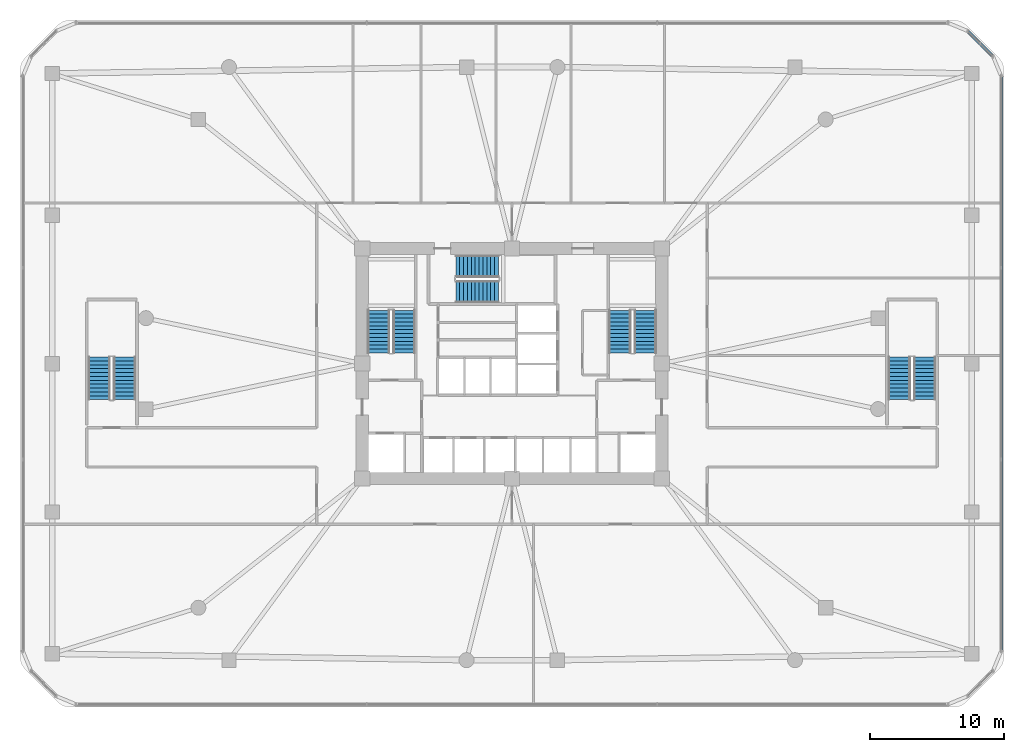
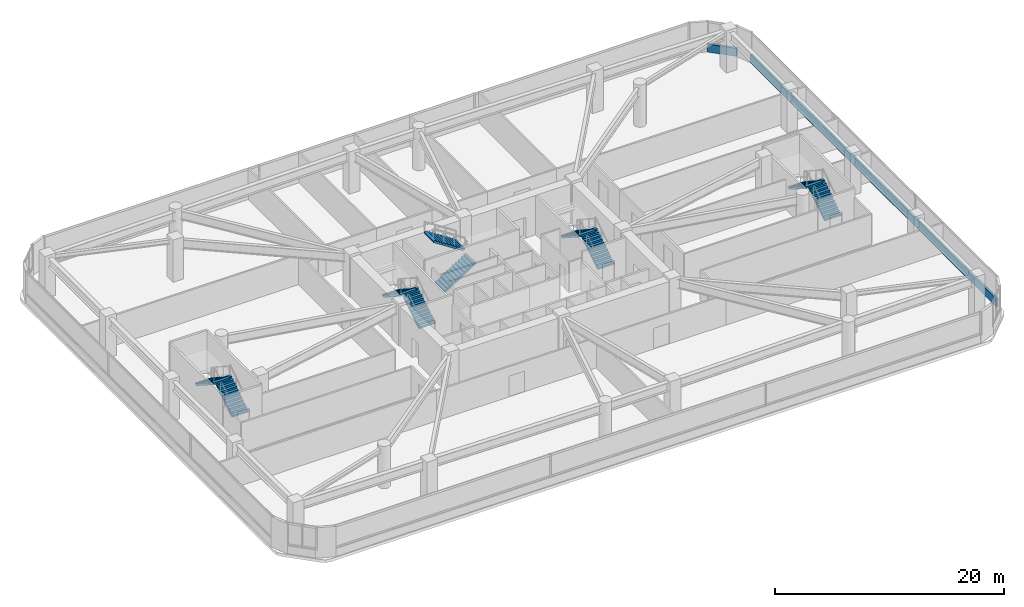
# One storey, part 19 of 21: 10 stair flights, 2 walls, 5 elements without a shape of their own.
"""IFC4 building model written with IfcOpenShell, lengths in metres."""

from ifc_helpers import new_model, si_unit, derived_unit, direction, frame, frame_2d, origin, place, context, subcontext, project, spatial, polyline, rectangle, outline, extrude, material, layer, layer_set, type_object, element, aggregate, save


model = new_model("IFC4")

# Units and contexts
model_context = context("Model", 3, precision=1e-05, world=origin(), true_north=direction((0.0, 1.0)))
body_context = subcontext(model_context, "Body", "Model", "MODEL_VIEW")
ifc_project = project(units=[si_unit("LENGTHUNIT", "METRE"), si_unit("AREAUNIT", "SQUARE_METRE"), si_unit("VOLUMEUNIT", "CUBIC_METRE"), si_unit("PLANEANGLEUNIT", "RADIAN"), si_unit("MASSUNIT", "GRAM", prefix="KILO"), derived_unit("THERMALTRANSMITTANCEUNIT", [(si_unit("POWERUNIT", "WATT"), 1), (si_unit("LENGTHUNIT", "METRE"), -2), (si_unit("THERMODYNAMICTEMPERATUREUNIT", "KELVIN"), -1)])], contexts=[model_context])

# Site, building, storey
site_placement = place(None, origin())
site = spatial("IfcSite", under=ifc_project, at=site_placement, CompositionType="ELEMENT")
building_placement = place(site_placement, origin())
building = spatial("IfcBuilding", under=site, at=building_placement, Name="Koralith Skygarden Medical Center", CompositionType="ELEMENT")
storey_placement = place(building_placement, frame((0.0, 0.0, 14.39990234375)))
storey = spatial("IfcBuildingStorey", under=building, at=storey_placement, Name="L03", CompositionType="ELEMENT", Elevation=14.39990234375)

# Walls
ifc_material_1 = material(Name="Warm Oolitic Limestone Cladding", Category="masonry")
ifc_layer = layer(ifc_material_1, 0.239990234375)
ifc_layer_set = layer_set([ifc_layer], Name="Warm Oolitic Limestone Cladding")
wall_type = type_object("IfcWallType", Name="Limestone Spandrel Sill Backup Wall 240", PredefinedType="SOLIDWALL", material=ifc_layer_set)
wall_1_placement = place(storey_placement, frame((73.580078125, 4.37890625, 0.0), z_axis=(0.0, 0.0, 1.0), x_axis=(0.0, 1.0, 0.0)))
element("IfcWall", 1, at=wall_1_placement, inside=storey, type_object=wall_type, Name="L03 Sill Spandrel Wall E", PredefinedType="SOLIDWALL", context=body_context, shape_type="SweptSolid", body=[
    extrude(rectangle(XDim=43.0419921875, YDim=0.239990234375, at=frame_2d((21.52099609375, 0.0))), origin(), (0.0, 0.0, 1.0), 0.85009765625),
])
wall_2_placement = place(storey_placement, frame((72.97900390625, 48.8720703125, 0.0), z_axis=(0.0, 0.0, 1.0), x_axis=(-0.707106781187, 0.707106781187, 0.0)))
element("IfcWall", 2, at=wall_2_placement, inside=storey, type_object=wall_type, Name="L03 Sill Spandrel Wall NE", PredefinedType="SOLIDWALL", context=body_context, shape_type="SweptSolid", body=[
    extrude(rectangle(XDim=2.69677734375, YDim=0.239990234375, at=frame_2d((1.348388671875, 0.0))), origin(), (0.0, 0.0, 1.0), 0.85009765625),
])

# Stair, stair flights
ifc_material_2 = material(Name="Concrete C45/55", Category="concrete")
stair_type = type_object("IfcStairType", Name="Core Exit Dogleg Concrete Stair", PredefinedType="HALF_TURN_STAIR", material=ifc_material_2)
stair_1_placement = place(storey_placement, origin())
stair_1 = element("IfcStair", 3, at=stair_1_placement, inside=storey, type_object=stair_type, Name="L03 Smokeproof Exit Stair ST1", PredefinedType="HALF_TURN_STAIR")
stair_flight_type = type_object("IfcStairFlightType", Name="Core Exit Concrete Stair Flight 1650", PredefinedType="STRAIGHT", material=ifc_material_2)
stair_flight_1_placement = place(storey_placement, frame((28.925048828125, 26.699951171875, 0.0), z_axis=(0.0, 0.0, 1.0), x_axis=(0.0, 1.0, 0.0)))
stair_flight_1 = element("IfcStairFlight", 4, at=stair_flight_1_placement, type_object=stair_flight_type, Name="ST1 flight 1", NumberOfRisers=12, NumberOfTreads=11, PredefinedType="STRAIGHT", RiserHeight=0.1875, TreadLength=0.29, context=body_context, shape_type="SweptSolid", body=[
    extrude(outline(polyline([(0.0, 0.0), (0.0, 0.1875), (0.2900390625, 0.1875), (0.2900390625, 0.375), (0.580078125, 0.375), (0.580078125, 0.5625), (0.8701171875, 0.5625), (0.8701171875, 0.75), (1.159912109375, 0.75), (1.159912109375, 0.9375), (1.449951171875, 0.9375), (1.449951171875, 1.125), (1.739990234375, 1.125), (1.739990234375, 1.3125), (2.030029296875, 1.3125), (2.030029296875, 1.5), (2.320068359375, 1.5), (2.320068359375, 1.6875), (2.610107421875, 1.6875), (2.610107421875, 1.875), (2.89990234375, 1.875), (2.89990234375, 2.0625), (3.18994140625, 2.0625), (3.18994140625, 2.25), (3.18994140625, 1.884033203125), (0.276123046875, 0.0), (0.0, 0.0)])), frame((0.0, 0.824951171875, 0.0), z_axis=(0.0, -1.0, 0.0), x_axis=(1.0, 0.0, 0.0)), (0.0, 0.0, 1.0), 1.64990234375),
])
stair_flight_2_placement = place(storey_placement, frame((27.02490234375, 29.889892578125, 2.25), z_axis=(0.0, 0.0, 1.0), x_axis=(0.0, -1.0, 0.0)))
stair_flight_2 = element("IfcStairFlight", 5, at=stair_flight_2_placement, type_object=stair_flight_type, Name="ST1 flight 2", NumberOfRisers=12, NumberOfTreads=11, PredefinedType="STRAIGHT", RiserHeight=0.1875, TreadLength=0.29, context=body_context, shape_type="SweptSolid", body=[
    extrude(outline(polyline([(0.0, 0.0), (0.0, 0.1875), (0.2900390625, 0.1875), (0.2900390625, 0.375), (0.580078125, 0.375), (0.580078125, 0.5625), (0.8701171875, 0.5625), (0.8701171875, 0.75), (1.159912109375, 0.75), (1.159912109375, 0.9375), (1.449951171875, 0.9375), (1.449951171875, 1.125), (1.739990234375, 1.125), (1.739990234375, 1.3125), (2.030029296875, 1.3125), (2.030029296875, 1.5), (2.320068359375, 1.5), (2.320068359375, 1.6875), (2.610107421875, 1.6875), (2.610107421875, 1.875), (2.89990234375, 1.875), (2.89990234375, 2.0625), (3.18994140625, 2.0625), (3.18994140625, 2.25), (3.18994140625, 1.884033203125), (0.276123046875, 0.0), (0.0, 0.0)])), frame((0.0, 0.824951171875, 0.0), z_axis=(0.0, -1.0, 0.0), x_axis=(1.0, 0.0, 0.0)), (0.0, 0.0, 1.0), 1.64990234375),
])
aggregate(stair_1, [stair_flight_1, stair_flight_2])

stair_2_placement = place(storey_placement, origin())
stair_2 = element("IfcStair", 6, at=stair_2_placement, inside=storey, type_object=stair_type, Name="L03 Smokeproof Exit Stair ST2", PredefinedType="HALF_TURN_STAIR")
stair_flight_3_placement = place(storey_placement, frame((46.97509765625, 26.699951171875, 0.0), z_axis=(0.0, 0.0, 1.0), x_axis=(0.0, 1.0, 0.0)))
stair_flight_3 = element("IfcStairFlight", 7, at=stair_flight_3_placement, type_object=stair_flight_type, Name="ST2 flight 1", NumberOfRisers=12, NumberOfTreads=11, PredefinedType="STRAIGHT", RiserHeight=0.1875, TreadLength=0.29, context=body_context, shape_type="SweptSolid", body=[
    extrude(outline(polyline([(0.0, 0.0), (0.0, 0.1875), (0.2900390625, 0.1875), (0.2900390625, 0.375), (0.580078125, 0.375), (0.580078125, 0.5625), (0.8701171875, 0.5625), (0.8701171875, 0.75), (1.159912109375, 0.75), (1.159912109375, 0.9375), (1.449951171875, 0.9375), (1.449951171875, 1.125), (1.739990234375, 1.125), (1.739990234375, 1.3125), (2.030029296875, 1.3125), (2.030029296875, 1.5), (2.320068359375, 1.5), (2.320068359375, 1.6875), (2.610107421875, 1.6875), (2.610107421875, 1.875), (2.89990234375, 1.875), (2.89990234375, 2.0625), (3.18994140625, 2.0625), (3.18994140625, 2.25), (3.18994140625, 1.884033203125), (0.276123046875, 0.0), (0.0, 0.0)])), frame((0.0, 0.824951171875, 0.0), z_axis=(0.0, -1.0, 0.0), x_axis=(1.0, 0.0, 0.0)), (0.0, 0.0, 1.0), 1.64990234375),
])
stair_flight_4_placement = place(storey_placement, frame((45.074951171875, 29.889892578125, 2.25), z_axis=(0.0, 0.0, 1.0), x_axis=(0.0, -1.0, 0.0)))
stair_flight_4 = element("IfcStairFlight", 8, at=stair_flight_4_placement, type_object=stair_flight_type, Name="ST2 flight 2", NumberOfRisers=12, NumberOfTreads=11, PredefinedType="STRAIGHT", RiserHeight=0.1875, TreadLength=0.29, context=body_context, shape_type="SweptSolid", body=[
    extrude(outline(polyline([(0.0, 0.0), (0.0, 0.1875), (0.2900390625, 0.1875), (0.2900390625, 0.375), (0.580078125, 0.375), (0.580078125, 0.5625), (0.8701171875, 0.5625), (0.8701171875, 0.75), (1.159912109375, 0.75), (1.159912109375, 0.9375), (1.449951171875, 0.9375), (1.449951171875, 1.125), (1.739990234375, 1.125), (1.739990234375, 1.3125), (2.030029296875, 1.3125), (2.030029296875, 1.5), (2.320068359375, 1.5), (2.320068359375, 1.6875), (2.610107421875, 1.6875), (2.610107421875, 1.875), (2.89990234375, 1.875), (2.89990234375, 2.0625), (3.18994140625, 2.0625), (3.18994140625, 2.25), (3.18994140625, 1.884033203125), (0.276123046875, 0.0), (0.0, 0.0)])), frame((0.0, 0.824951171875, 0.0), z_axis=(0.0, -1.0, 0.0), x_axis=(1.0, 0.0, 0.0)), (0.0, 0.0, 1.0), 1.64990234375),
])
aggregate(stair_2, [stair_flight_3, stair_flight_4])

stair_3_placement = place(storey_placement, origin())
stair_3 = element("IfcStair", 9, at=stair_3_placement, inside=storey, type_object=stair_type, Name="L03 Smokeproof Exit Stair ST3", PredefinedType="HALF_TURN_STAIR")
stair_flight_5_placement = place(storey_placement, frame((32.800048828125, 31.27490234375, 0.0), z_axis=(0.0, 0.0, 1.0), x_axis=(1.0, 0.0, 0.0)))
stair_flight_5 = element("IfcStairFlight", 10, at=stair_flight_5_placement, type_object=stair_flight_type, Name="ST3 flight 1", NumberOfRisers=12, NumberOfTreads=11, PredefinedType="STRAIGHT", RiserHeight=0.1875, TreadLength=0.29, context=body_context, shape_type="SweptSolid", body=[
    extrude(outline(polyline([(0.0, 0.0), (0.0, 0.1875), (0.2900390625, 0.1875), (0.2900390625, 0.375), (0.580078125, 0.375), (0.580078125, 0.5625), (0.8701171875, 0.5625), (0.8701171875, 0.75), (1.159912109375, 0.75), (1.159912109375, 0.9375), (1.449951171875, 0.9375), (1.449951171875, 1.125), (1.739990234375, 1.125), (1.739990234375, 1.3125), (2.030029296875, 1.3125), (2.030029296875, 1.5), (2.320068359375, 1.5), (2.320068359375, 1.6875), (2.610107421875, 1.6875), (2.610107421875, 1.875), (2.89990234375, 1.875), (2.89990234375, 2.0625), (3.18994140625, 2.0625), (3.18994140625, 2.25), (3.18994140625, 1.884033203125), (0.276123046875, 0.0), (0.0, 0.0)])), frame((0.0, 0.824951171875, 0.0), z_axis=(0.0, -1.0, 0.0), x_axis=(1.0, 0.0, 0.0)), (0.0, 0.0, 1.0), 1.64990234375),
])
stair_flight_6_placement = place(storey_placement, frame((35.989990234375, 33.175048828125, 2.25), z_axis=(0.0, 0.0, 1.0), x_axis=(-1.0, 0.0, 0.0)))
stair_flight_6 = element("IfcStairFlight", 11, at=stair_flight_6_placement, type_object=stair_flight_type, Name="ST3 flight 2", NumberOfRisers=12, NumberOfTreads=11, PredefinedType="STRAIGHT", RiserHeight=0.1875, TreadLength=0.29, context=body_context, shape_type="SweptSolid", body=[
    extrude(outline(polyline([(0.0, 0.0), (0.0, 0.1875), (0.2900390625, 0.1875), (0.2900390625, 0.375), (0.580078125, 0.375), (0.580078125, 0.5625), (0.8701171875, 0.5625), (0.8701171875, 0.75), (1.159912109375, 0.75), (1.159912109375, 0.9375), (1.449951171875, 0.9375), (1.449951171875, 1.125), (1.739990234375, 1.125), (1.739990234375, 1.3125), (2.030029296875, 1.3125), (2.030029296875, 1.5), (2.320068359375, 1.5), (2.320068359375, 1.6875), (2.610107421875, 1.6875), (2.610107421875, 1.875), (2.89990234375, 1.875), (2.89990234375, 2.0625), (3.18994140625, 2.0625), (3.18994140625, 2.25), (3.18994140625, 1.884033203125), (0.276123046875, 0.0), (0.0, 0.0)])), frame((0.0, 0.824951171875, 0.0), z_axis=(0.0, -1.0, 0.0), x_axis=(1.0, 0.0, 0.0)), (0.0, 0.0, 1.0), 1.64990234375),
])
aggregate(stair_3, [stair_flight_5, stair_flight_6])

stair_4_placement = place(storey_placement, origin())
stair_4 = element("IfcStair", 12, at=stair_4_placement, inside=storey, type_object=stair_type, Name="L03 Podium Smokeproof Exit Stair ST4", PredefinedType="HALF_TURN_STAIR")
stair_flight_7_placement = place(storey_placement, frame((8.02490234375, 23.199951171875, 0.0), z_axis=(0.0, 0.0, 1.0), x_axis=(0.0, 1.0, 0.0)))
stair_flight_7 = element("IfcStairFlight", 13, at=stair_flight_7_placement, type_object=stair_flight_type, Name="ST4 flight 1", NumberOfRisers=12, NumberOfTreads=11, PredefinedType="STRAIGHT", RiserHeight=0.1875, TreadLength=0.29, context=body_context, shape_type="SweptSolid", body=[
    extrude(outline(polyline([(0.0, 0.0), (0.0, 0.1875), (0.2900390625, 0.1875), (0.2900390625, 0.375), (0.580078125, 0.375), (0.580078125, 0.5625), (0.8701171875, 0.5625), (0.8701171875, 0.75), (1.159912109375, 0.75), (1.159912109375, 0.9375), (1.449951171875, 0.9375), (1.449951171875, 1.125), (1.739990234375, 1.125), (1.739990234375, 1.3125), (2.030029296875, 1.3125), (2.030029296875, 1.5), (2.320068359375, 1.5), (2.320068359375, 1.6875), (2.610107421875, 1.6875), (2.610107421875, 1.875), (2.89990234375, 1.875), (2.89990234375, 2.0625), (3.18994140625, 2.0625), (3.18994140625, 2.25), (3.18994140625, 1.884033203125), (0.276123046875, 0.0), (0.0, 0.0)])), frame((0.0, 0.824951171875, 0.0), z_axis=(0.0, -1.0, 0.0), x_axis=(1.0, 0.0, 0.0)), (0.0, 0.0, 1.0), 1.64990234375),
])
stair_flight_8_placement = place(storey_placement, frame((6.125, 26.389892578125, 2.25), z_axis=(0.0, 0.0, 1.0), x_axis=(0.0, -1.0, 0.0)))
stair_flight_8 = element("IfcStairFlight", 14, at=stair_flight_8_placement, type_object=stair_flight_type, Name="ST4 flight 2", NumberOfRisers=12, NumberOfTreads=11, PredefinedType="STRAIGHT", RiserHeight=0.1875, TreadLength=0.29, context=body_context, shape_type="SweptSolid", body=[
    extrude(outline(polyline([(0.0, 0.0), (0.0, 0.1875), (0.2900390625, 0.1875), (0.2900390625, 0.375), (0.580078125, 0.375), (0.580078125, 0.5625), (0.8701171875, 0.5625), (0.8701171875, 0.75), (1.159912109375, 0.75), (1.159912109375, 0.9375), (1.449951171875, 0.9375), (1.449951171875, 1.125), (1.739990234375, 1.125), (1.739990234375, 1.3125), (2.030029296875, 1.3125), (2.030029296875, 1.5), (2.320068359375, 1.5), (2.320068359375, 1.6875), (2.610107421875, 1.6875), (2.610107421875, 1.875), (2.89990234375, 1.875), (2.89990234375, 2.0625), (3.18994140625, 2.0625), (3.18994140625, 2.25), (3.18994140625, 1.884033203125), (0.276123046875, 0.0), (0.0, 0.0)])), frame((0.0, 0.824951171875, 0.0), z_axis=(0.0, -1.0, 0.0), x_axis=(1.0, 0.0, 0.0)), (0.0, 0.0, 1.0), 1.64990234375),
])
aggregate(stair_4, [stair_flight_7, stair_flight_8])

stair_5_placement = place(storey_placement, origin())
stair_5 = element("IfcStair", 15, at=stair_5_placement, inside=storey, type_object=stair_type, Name="L03 Podium Smokeproof Exit Stair ST5", PredefinedType="HALF_TURN_STAIR")
stair_flight_9_placement = place(storey_placement, frame((67.875, 23.199951171875, 0.0), z_axis=(0.0, 0.0, 1.0), x_axis=(0.0, 1.0, 0.0)))
stair_flight_9 = element("IfcStairFlight", 16, at=stair_flight_9_placement, type_object=stair_flight_type, Name="ST5 flight 1", NumberOfRisers=12, NumberOfTreads=11, PredefinedType="STRAIGHT", RiserHeight=0.1875, TreadLength=0.29, context=body_context, shape_type="SweptSolid", body=[
    extrude(outline(polyline([(0.0, 0.0), (0.0, 0.1875), (0.2900390625, 0.1875), (0.2900390625, 0.375), (0.580078125, 0.375), (0.580078125, 0.5625), (0.8701171875, 0.5625), (0.8701171875, 0.75), (1.159912109375, 0.75), (1.159912109375, 0.9375), (1.449951171875, 0.9375), (1.449951171875, 1.125), (1.739990234375, 1.125), (1.739990234375, 1.3125), (2.030029296875, 1.3125), (2.030029296875, 1.5), (2.320068359375, 1.5), (2.320068359375, 1.6875), (2.610107421875, 1.6875), (2.610107421875, 1.875), (2.89990234375, 1.875), (2.89990234375, 2.0625), (3.18994140625, 2.0625), (3.18994140625, 2.25), (3.18994140625, 1.884033203125), (0.276123046875, 0.0), (0.0, 0.0)])), frame((0.0, 0.824951171875, 0.0), z_axis=(0.0, -1.0, 0.0), x_axis=(1.0, 0.0, 0.0)), (0.0, 0.0, 1.0), 1.64990234375),
])
stair_flight_10_placement = place(storey_placement, frame((65.97509765625, 26.389892578125, 2.25), z_axis=(0.0, 0.0, 1.0), x_axis=(0.0, -1.0, 0.0)))
stair_flight_10 = element("IfcStairFlight", 17, at=stair_flight_10_placement, type_object=stair_flight_type, Name="ST5 flight 2", NumberOfRisers=12, NumberOfTreads=11, PredefinedType="STRAIGHT", RiserHeight=0.1875, TreadLength=0.29, context=body_context, shape_type="SweptSolid", body=[
    extrude(outline(polyline([(0.0, 0.0), (0.0, 0.1875), (0.2900390625, 0.1875), (0.2900390625, 0.375), (0.580078125, 0.375), (0.580078125, 0.5625), (0.8701171875, 0.5625), (0.8701171875, 0.75), (1.159912109375, 0.75), (1.159912109375, 0.9375), (1.449951171875, 0.9375), (1.449951171875, 1.125), (1.739990234375, 1.125), (1.739990234375, 1.3125), (2.030029296875, 1.3125), (2.030029296875, 1.5), (2.320068359375, 1.5), (2.320068359375, 1.6875), (2.610107421875, 1.6875), (2.610107421875, 1.875), (2.89990234375, 1.875), (2.89990234375, 2.0625), (3.18994140625, 2.0625), (3.18994140625, 2.25), (3.18994140625, 1.884033203125), (0.276123046875, 0.0), (0.0, 0.0)])), frame((0.0, 0.824951171875, 0.0), z_axis=(0.0, -1.0, 0.0), x_axis=(1.0, 0.0, 0.0)), (0.0, 0.0, 1.0), 1.64990234375),
])
aggregate(stair_5, [stair_flight_9, stair_flight_10])

save(model, "model.ifc")
